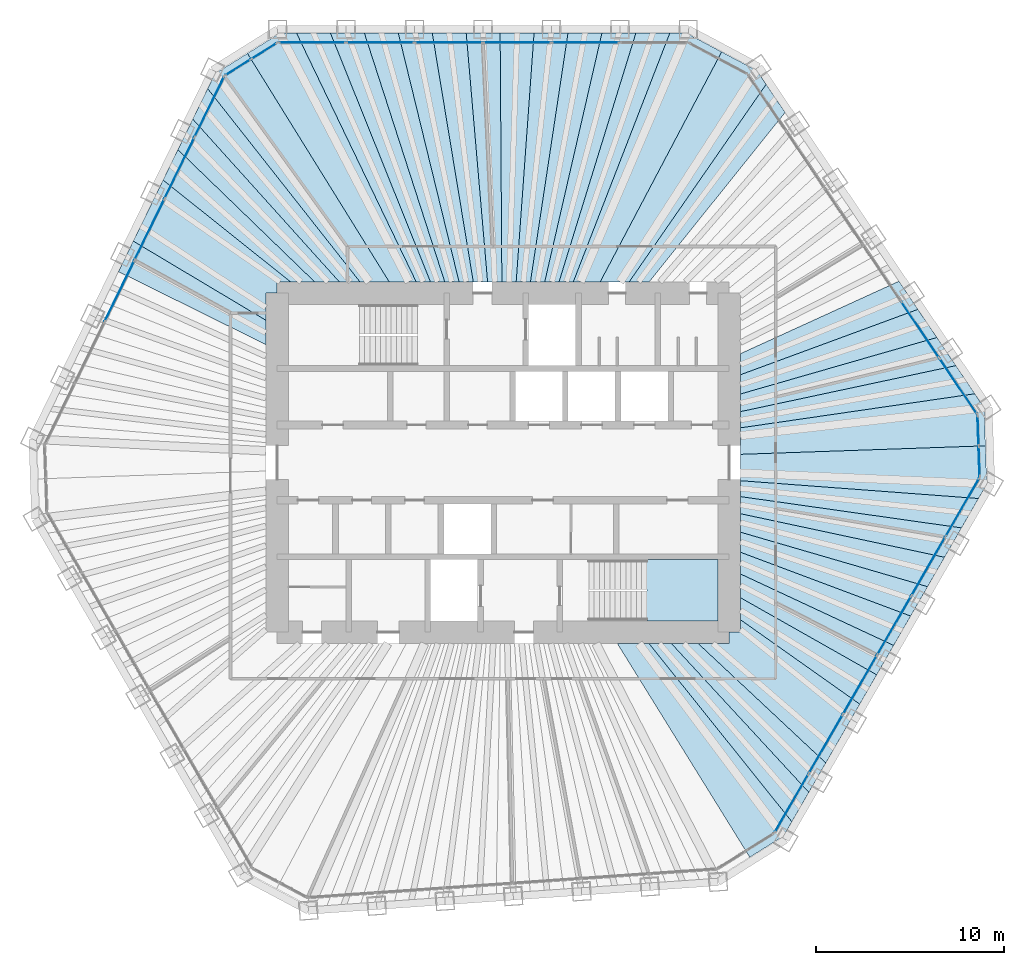
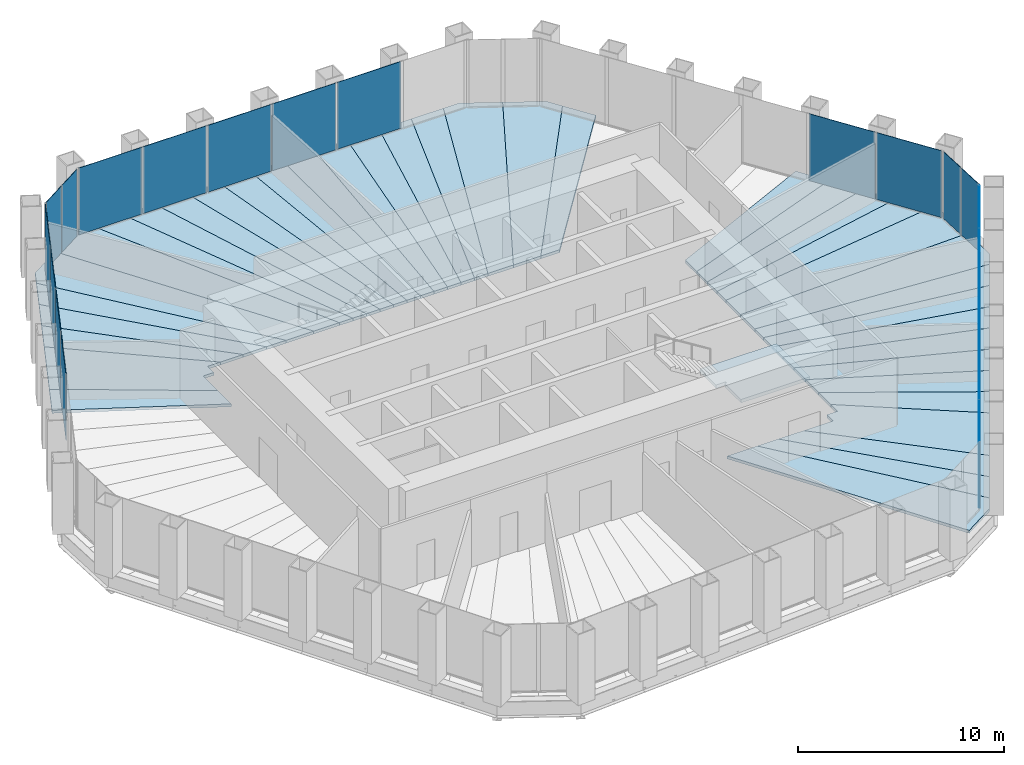
# One storey, part 9 of 13: 39 slabs, 21 plates, 7 elements without a shape of their own.
"""IFC4 building model written with IfcOpenShell, lengths in metres."""

from ifc_helpers import new_model, si_unit, direction, frame, origin, origin_2d, place, context, subcontext, project, spatial, polyline, rectangle, outline, extrude, material, layer, layer_set, type_object, element, aggregate, save


model = new_model("IFC4")

# Units and contexts
model_context = context("Model", 3, precision=1e-05, world=origin(), true_north=direction((0.0, 1.0)))
body_context = subcontext(model_context, "Body", "Model", "MODEL_VIEW")
ifc_project = project(units=[si_unit("LENGTHUNIT", "METRE"), si_unit("AREAUNIT", "SQUARE_METRE"), si_unit("VOLUMEUNIT", "CUBIC_METRE"), si_unit("PLANEANGLEUNIT", "RADIAN"), si_unit("MASSUNIT", "GRAM", prefix="KILO")], contexts=[model_context])

# Site, building, storey
site_placement = place(None, origin())
site = spatial("IfcSite", under=ifc_project, at=site_placement, CompositionType="ELEMENT")
building_placement = place(site_placement, origin())
building = spatial("IfcBuilding", under=site, at=building_placement, Name="Qingtian Harvest Tower", CompositionType="ELEMENT")
storey_placement = place(building_placement, frame((0.0, 0.0, 222.39990234375)))
storey = spatial("IfcBuildingStorey", under=building, at=storey_placement, Name="L48", CompositionType="ELEMENT", Elevation=222.39990234375)

# Slabs
ifc_material_1 = material(Name="Concrete fc' 35 MPa", Category="concrete")
ifc_layer_1 = layer(ifc_material_1, 0.169921875)
ifc_layer_set_1 = layer_set([ifc_layer_1], Name="Composite floor slab FS17 170")
slab_type_1 = type_object("IfcSlabType", Name="Composite floor slab FS17 170", PredefinedType="FLOOR", material=ifc_layer_set_1)
slab_1_placement = place(storey_placement, frame((0.0, 0.0, -0.169921875)))
element("IfcSlab", 1, at=slab_1_placement, inside=storey, type_object=slab_type_1, Name="Floor slab L48 panel D27", PredefinedType="FLOOR", context=body_context, shape_type="SweptSolid", body=[
    extrude(outline(polyline([(6.059326171875, -9.60009765625), (7.740966796875, -9.60009765625), (15.3271484375, -19.0625), (14.886962890625, -19.8251953125), (13.090576171875, -20.94775390625), (6.059326171875, -9.60009765625)])), origin(), (0.0, 0.0, 1.0), 0.169921875),
])
slab_2_placement = place(storey_placement, frame((0.0, 0.0, -0.169921875)))
element("IfcSlab", 2, at=slab_2_placement, inside=storey, type_object=slab_type_1, Name="Floor slab L48 panel D28", PredefinedType="FLOOR", context=body_context, shape_type="SweptSolid", body=[
    extrude(outline(polyline([(8.929443359375, -9.60009765625), (16.22802734375, -17.50244140625), (15.3271484375, -19.0625), (7.740966796875, -9.60009765625), (8.929443359375, -9.60009765625)])), origin(), (0.0, 0.0, 1.0), 0.169921875),
])
slab_3_placement = place(storey_placement, frame((0.0, 0.0, -0.169921875)))
element("IfcSlab", 3, at=slab_3_placement, inside=storey, type_object=slab_type_1, Name="Floor slab L48 panel D29", PredefinedType="FLOOR", context=body_context, shape_type="SweptSolid", body=[
    extrude(outline(polyline([(10.35205078125, -9.60009765625), (17.128662109375, -15.942138671875), (16.22802734375, -17.50244140625), (8.929443359375, -9.60009765625), (10.35205078125, -9.60009765625)])), origin(), (0.0, 0.0, 1.0), 0.169921875),
])
slab_4_placement = place(storey_placement, frame((0.0, 0.0, -0.169921875)))
element("IfcSlab", 4, at=slab_4_placement, inside=storey, type_object=slab_type_1, Name="Floor slab L48 panel D31", PredefinedType="FLOOR", context=body_context, shape_type="SweptSolid", body=[
    extrude(outline(polyline([(12.60009765625, -8.33984375), (18.931884765625, -12.819091796875), (17.128662109375, -15.942138671875), (10.35205078125, -9.60009765625), (12.0, -9.60009765625), (12.0, -9.0), (12.60009765625, -9.0), (12.60009765625, -8.33984375)])), origin(), (0.0, 0.0, 1.0), 0.169921875),
])
slab_5_placement = place(storey_placement, frame((0.0, 0.0, -0.169921875)))
element("IfcSlab", 5, at=slab_5_placement, inside=storey, type_object=slab_type_1, Name="Floor slab L48 panel D32", PredefinedType="FLOOR", context=body_context, shape_type="SweptSolid", body=[
    extrude(outline(polyline([(12.60009765625, -7.171142578125), (19.830322265625, -11.262939453125), (18.931884765625, -12.819091796875), (12.60009765625, -8.33984375), (12.60009765625, -7.171142578125)])), origin(), (0.0, 0.0, 1.0), 0.169921875),
])
slab_6_placement = place(storey_placement, frame((0.0, 0.0, -0.169921875)))
element("IfcSlab", 6, at=slab_6_placement, inside=storey, type_object=slab_type_1, Name="Floor slab L48 panel D33", PredefinedType="FLOOR", context=body_context, shape_type="SweptSolid", body=[
    extrude(outline(polyline([(12.60009765625, -5.91015625), (20.73095703125, -9.702880859375), (19.830322265625, -11.262939453125), (12.60009765625, -7.171142578125), (12.60009765625, -5.91015625)])), origin(), (0.0, 0.0, 1.0), 0.169921875),
])
slab_7_placement = place(storey_placement, frame((0.0, 0.0, -0.169921875)))
element("IfcSlab", 7, at=slab_7_placement, inside=storey, type_object=slab_type_1, Name="Floor slab L48 panel D34", PredefinedType="FLOOR", context=body_context, shape_type="SweptSolid", body=[
    extrude(outline(polyline([(12.60009765625, -4.75439453125), (21.6318359375, -8.142578125), (20.73095703125, -9.702880859375), (12.60009765625, -5.91015625), (12.60009765625, -4.75439453125)])), origin(), (0.0, 0.0, 1.0), 0.169921875),
])
slab_8_placement = place(storey_placement, frame((0.0, 0.0, -0.169921875)))
element("IfcSlab", 8, at=slab_8_placement, inside=storey, type_object=slab_type_1, Name="Floor slab L48 panel D35", PredefinedType="FLOOR", context=body_context, shape_type="SweptSolid", body=[
    extrude(outline(polyline([(12.60009765625, -3.691162109375), (22.532470703125, -6.58251953125), (21.6318359375, -8.142578125), (12.60009765625, -4.75439453125), (12.60009765625, -3.691162109375)])), origin(), (0.0, 0.0, 1.0), 0.169921875),
])
slab_9_placement = place(storey_placement, frame((0.0, 0.0, -0.169921875)))
element("IfcSlab", 9, at=slab_9_placement, inside=storey, type_object=slab_type_1, Name="Floor slab L48 panel D36", PredefinedType="FLOOR", context=body_context, shape_type="SweptSolid", body=[
    extrude(outline(polyline([(12.60009765625, -2.709716796875), (23.43310546875, -5.022705078125), (22.532470703125, -6.58251953125), (12.60009765625, -3.691162109375), (12.60009765625, -2.709716796875)])), origin(), (0.0, 0.0, 1.0), 0.169921875),
])
slab_10_placement = place(storey_placement, frame((0.0, 0.0, -0.169921875)))
element("IfcSlab", 10, at=slab_10_placement, inside=storey, type_object=slab_type_1, Name="Floor slab L48 panel D37", PredefinedType="FLOOR", context=body_context, shape_type="SweptSolid", body=[
    extrude(outline(polyline([(12.60009765625, -1.801025390625), (24.333740234375, -3.462646484375), (23.43310546875, -5.022705078125), (12.60009765625, -2.709716796875), (12.60009765625, -1.801025390625)])), origin(), (0.0, 0.0, 1.0), 0.169921875),
])
slab_11_placement = place(storey_placement, frame((0.0, 0.0, -0.169921875)))
element("IfcSlab", 11, at=slab_11_placement, inside=storey, type_object=slab_type_1, Name="Floor slab L48 panel D38", PredefinedType="FLOOR", context=body_context, shape_type="SweptSolid", body=[
    extrude(outline(polyline([(12.60009765625, -0.95703125), (25.234619140625, -1.902587890625), (24.333740234375, -3.462646484375), (12.60009765625, -1.801025390625), (12.60009765625, -0.95703125)])), origin(), (0.0, 0.0, 1.0), 0.169921875),
])
slab_12_placement = place(storey_placement, frame((0.0, 0.0, -0.169921875)))
element("IfcSlab", 12, at=slab_12_placement, inside=storey, type_object=slab_type_1, Name="Floor slab L48 panel D39", PredefinedType="FLOOR", context=body_context, shape_type="SweptSolid", body=[
    extrude(outline(polyline([(12.60009765625, -0.95703125), (12.60009765625, 0.442626953125), (25.603759765625, 0.89404296875), (25.6748046875, -1.139892578125), (25.234619140625, -1.902587890625), (12.60009765625, -0.95703125)])), origin(), (0.0, 0.0, 1.0), 0.169921875),
])
slab_13_placement = place(storey_placement, frame((0.0, 0.0, -0.169921875)))
element("IfcSlab", 13, at=slab_13_placement, inside=storey, type_object=slab_type_1, Name="Floor slab L48 panel D40", PredefinedType="FLOOR", context=body_context, shape_type="SweptSolid", body=[
    extrude(outline(polyline([(12.60009765625, 0.442626953125), (12.60009765625, 1.848876953125), (25.040283203125, 3.658203125), (25.53271484375, 2.92822265625), (25.603759765625, 0.89404296875), (12.60009765625, 0.442626953125)])), origin(), (0.0, 0.0, 1.0), 0.169921875),
])
slab_14_placement = place(storey_placement, frame((0.0, 0.0, -0.169921875)))
element("IfcSlab", 14, at=slab_14_placement, inside=storey, type_object=slab_type_1, Name="Floor slab L48 panel D41", PredefinedType="FLOOR", context=body_context, shape_type="SweptSolid", body=[
    extrude(outline(polyline([(12.60009765625, 2.710205078125), (24.032958984375, 5.151611328125), (25.040283203125, 3.658203125), (12.60009765625, 1.848876953125), (12.60009765625, 2.710205078125)])), origin(), (0.0, 0.0, 1.0), 0.169921875),
])
slab_15_placement = place(storey_placement, frame((0.0, 0.0, -0.169921875)))
element("IfcSlab", 15, at=slab_15_placement, inside=storey, type_object=slab_type_1, Name="Floor slab L48 panel D42", PredefinedType="FLOOR", context=body_context, shape_type="SweptSolid", body=[
    extrude(outline(polyline([(12.60009765625, 3.646728515625), (23.025634765625, 6.64501953125), (24.032958984375, 5.151611328125), (12.60009765625, 2.710205078125), (12.60009765625, 3.646728515625)])), origin(), (0.0, 0.0, 1.0), 0.169921875),
])
slab_16_placement = place(storey_placement, frame((0.0, 0.0, -0.169921875)))
element("IfcSlab", 16, at=slab_16_placement, inside=storey, type_object=slab_type_1, Name="Floor slab L48 panel D43", PredefinedType="FLOOR", context=body_context, shape_type="SweptSolid", body=[
    extrude(outline(polyline([(12.60009765625, 4.669189453125), (22.018310546875, 8.138427734375), (23.025634765625, 6.64501953125), (12.60009765625, 3.646728515625), (12.60009765625, 4.669189453125)])), origin(), (0.0, 0.0, 1.0), 0.169921875),
])
slab_17_placement = place(storey_placement, frame((0.0, 0.0, -0.169921875)))
element("IfcSlab", 17, at=slab_17_placement, inside=storey, type_object=slab_type_1, Name="Floor slab L48 panel D44", PredefinedType="FLOOR", context=body_context, shape_type="SweptSolid", body=[
    extrude(outline(polyline([(12.60009765625, 5.7900390625), (21.010986328125, 9.6318359375), (22.018310546875, 8.138427734375), (12.60009765625, 4.669189453125), (12.60009765625, 5.7900390625)])), origin(), (0.0, 0.0, 1.0), 0.169921875),
])
slab_18_placement = place(storey_placement, frame((0.0, 0.0, -0.169921875)))
element("IfcSlab", 18, at=slab_18_placement, inside=storey, type_object=slab_type_1, Name="Floor slab L48 panel D51", PredefinedType="FLOOR", context=body_context, shape_type="SweptSolid", body=[
    extrude(outline(polyline([(6.6904296875, 9.60009765625), (13.960205078125, 20.085205078125), (14.967529296875, 18.591796875), (7.751220703125, 9.60009765625), (6.6904296875, 9.60009765625)])), origin(), (0.0, 0.0, 1.0), 0.169921875),
])
slab_19_placement = place(storey_placement, frame((0.0, 0.0, -0.169921875)))
element("IfcSlab", 19, at=slab_19_placement, inside=storey, type_object=slab_type_1, Name="Floor slab L48 panel D52", PredefinedType="FLOOR", context=body_context, shape_type="SweptSolid", body=[
    extrude(outline(polyline([(6.6904296875, 9.60009765625), (5.15185546875, 9.60009765625), (11.59716796875, 21.809814453125), (13.4677734375, 20.8154296875), (13.960205078125, 20.085205078125), (6.6904296875, 9.60009765625)])), origin(), (0.0, 0.0, 1.0), 0.169921875),
])
slab_20_placement = place(storey_placement, frame((0.0, 0.0, -0.169921875)))
element("IfcSlab", 20, at=slab_20_placement, inside=storey, type_object=slab_type_1, Name="Floor slab L48 panel D53", PredefinedType="FLOOR", context=body_context, shape_type="SweptSolid", body=[
    extrude(outline(polyline([(3.7236328125, 9.60009765625), (8.84521484375, 22.804931640625), (9.7255859375, 22.804931640625), (11.59716796875, 21.809814453125), (5.15185546875, 9.60009765625), (3.7236328125, 9.60009765625)])), origin(), (0.0, 0.0, 1.0), 0.169921875),
])
slab_21_placement = place(storey_placement, frame((0.0, 0.0, -0.169921875)))
element("IfcSlab", 21, at=slab_21_placement, inside=storey, type_object=slab_type_1, Name="Floor slab L48 panel D54", PredefinedType="FLOOR", context=body_context, shape_type="SweptSolid", body=[
    extrude(outline(polyline([(2.96533203125, 9.60009765625), (7.0439453125, 22.804931640625), (8.84521484375, 22.804931640625), (3.7236328125, 9.60009765625), (2.96533203125, 9.60009765625)])), origin(), (0.0, 0.0, 1.0), 0.169921875),
])
slab_22_placement = place(storey_placement, frame((0.0, 0.0, -0.169921875)))
element("IfcSlab", 22, at=slab_22_placement, inside=storey, type_object=slab_type_1, Name="Floor slab L48 panel D55", PredefinedType="FLOOR", context=body_context, shape_type="SweptSolid", body=[
    extrude(outline(polyline([(2.206787109375, 9.60009765625), (5.242431640625, 22.804931640625), (7.0439453125, 22.804931640625), (2.96533203125, 9.60009765625), (2.206787109375, 9.60009765625)])), origin(), (0.0, 0.0, 1.0), 0.169921875),
])
slab_23_placement = place(storey_placement, frame((0.0, 0.0, -0.169921875)))
element("IfcSlab", 23, at=slab_23_placement, inside=storey, type_object=slab_type_1, Name="Floor slab L48 panel D56", PredefinedType="FLOOR", context=body_context, shape_type="SweptSolid", body=[
    extrude(outline(polyline([(1.448486328125, 9.60009765625), (3.441162109375, 22.804931640625), (5.242431640625, 22.804931640625), (2.206787109375, 9.60009765625), (1.448486328125, 9.60009765625)])), origin(), (0.0, 0.0, 1.0), 0.169921875),
])
slab_24_placement = place(storey_placement, frame((0.0, 0.0, -0.169921875)))
element("IfcSlab", 24, at=slab_24_placement, inside=storey, type_object=slab_type_1, Name="Floor slab L48 panel D57", PredefinedType="FLOOR", context=body_context, shape_type="SweptSolid", body=[
    extrude(outline(polyline([(0.690185546875, 9.60009765625), (1.639892578125, 22.804931640625), (3.441162109375, 22.804931640625), (1.448486328125, 9.60009765625), (0.690185546875, 9.60009765625)])), origin(), (0.0, 0.0, 1.0), 0.169921875),
])
slab_25_placement = place(storey_placement, frame((0.0, 0.0, -0.169921875)))
element("IfcSlab", 25, at=slab_25_placement, inside=storey, type_object=slab_type_1, Name="Floor slab L48 panel D58", PredefinedType="FLOOR", context=body_context, shape_type="SweptSolid", body=[
    extrude(outline(polyline([(-0.068115234375, 9.60009765625), (-0.16162109375, 22.804931640625), (1.639892578125, 22.804931640625), (0.690185546875, 9.60009765625), (-0.068115234375, 9.60009765625)])), origin(), (0.0, 0.0, 1.0), 0.169921875),
])
slab_26_placement = place(storey_placement, frame((0.0, 0.0, -0.169921875)))
element("IfcSlab", 26, at=slab_26_placement, inside=storey, type_object=slab_type_1, Name="Floor slab L48 panel D59", PredefinedType="FLOOR", context=body_context, shape_type="SweptSolid", body=[
    extrude(outline(polyline([(-0.826416015625, 9.60009765625), (-1.962890625, 22.804931640625), (-0.16162109375, 22.804931640625), (-0.068115234375, 9.60009765625), (-0.826416015625, 9.60009765625)])), origin(), (0.0, 0.0, 1.0), 0.169921875),
])
slab_27_placement = place(storey_placement, frame((0.0, 0.0, -0.169921875)))
element("IfcSlab", 27, at=slab_27_placement, inside=storey, type_object=slab_type_1, Name="Floor slab L48 panel D60", PredefinedType="FLOOR", context=body_context, shape_type="SweptSolid", body=[
    extrude(outline(polyline([(-1.584716796875, 9.60009765625), (-3.764404296875, 22.804931640625), (-1.962890625, 22.804931640625), (-0.826416015625, 9.60009765625), (-1.584716796875, 9.60009765625)])), origin(), (0.0, 0.0, 1.0), 0.169921875),
])
slab_28_placement = place(storey_placement, frame((0.0, 0.0, -0.169921875)))
element("IfcSlab", 28, at=slab_28_placement, inside=storey, type_object=slab_type_1, Name="Floor slab L48 panel D61", PredefinedType="FLOOR", context=body_context, shape_type="SweptSolid", body=[
    extrude(outline(polyline([(-2.343017578125, 9.60009765625), (-5.565673828125, 22.804931640625), (-3.764404296875, 22.804931640625), (-1.584716796875, 9.60009765625), (-2.343017578125, 9.60009765625)])), origin(), (0.0, 0.0, 1.0), 0.169921875),
])
slab_29_placement = place(storey_placement, frame((0.0, 0.0, -0.169921875)))
element("IfcSlab", 29, at=slab_29_placement, inside=storey, type_object=slab_type_1, Name="Floor slab L48 panel D62", PredefinedType="FLOOR", context=body_context, shape_type="SweptSolid", body=[
    extrude(outline(polyline([(-3.101318359375, 9.60009765625), (-7.366943359375, 22.804931640625), (-5.565673828125, 22.804931640625), (-2.343017578125, 9.60009765625), (-3.101318359375, 9.60009765625)])), origin(), (0.0, 0.0, 1.0), 0.169921875),
])
slab_30_placement = place(storey_placement, frame((0.0, 0.0, -0.169921875)))
element("IfcSlab", 30, at=slab_30_placement, inside=storey, type_object=slab_type_1, Name="Floor slab L48 panel D63", PredefinedType="FLOOR", context=body_context, shape_type="SweptSolid", body=[
    extrude(outline(polyline([(-3.859619140625, 9.60009765625), (-9.16845703125, 22.804931640625), (-7.366943359375, 22.804931640625), (-3.101318359375, 9.60009765625), (-3.859619140625, 9.60009765625)])), origin(), (0.0, 0.0, 1.0), 0.169921875),
])
slab_31_placement = place(storey_placement, frame((0.0, 0.0, -0.169921875)))
element("IfcSlab", 31, at=slab_31_placement, inside=storey, type_object=slab_type_1, Name="Floor slab L48 panel D64", PredefinedType="FLOOR", context=body_context, shape_type="SweptSolid", body=[
    extrude(outline(polyline([(-4.617919921875, 9.60009765625), (-10.9697265625, 22.804931640625), (-9.16845703125, 22.804931640625), (-3.859619140625, 9.60009765625), (-4.617919921875, 9.60009765625)])), origin(), (0.0, 0.0, 1.0), 0.169921875),
])
slab_32_placement = place(storey_placement, frame((0.0, 0.0, -0.169921875)))
element("IfcSlab", 32, at=slab_32_placement, inside=storey, type_object=slab_type_1, Name="Floor slab L48 panel D65", PredefinedType="FLOOR", context=body_context, shape_type="SweptSolid", body=[
    extrude(outline(polyline([(-4.617919921875, 9.60009765625), (-6.050537109375, 9.60009765625), (-13.57666015625, 21.72607421875), (-11.85009765625, 22.804931640625), (-10.9697265625, 22.804931640625), (-4.617919921875, 9.60009765625)])), origin(), (0.0, 0.0, 1.0), 0.169921875),
])
slab_33_placement = place(storey_placement, frame((0.0, 0.0, -0.169921875)))
element("IfcSlab", 33, at=slab_33_placement, inside=storey, type_object=slab_type_1, Name="Floor slab L48 panel D66", PredefinedType="FLOOR", context=body_context, shape_type="SweptSolid", body=[
    extrude(outline(polyline([(-6.050537109375, 9.60009765625), (-7.60498046875, 9.60009765625), (-15.688232421875, 19.8564453125), (-15.30224609375, 20.64794921875), (-13.57666015625, 21.72607421875), (-6.050537109375, 9.60009765625)])), origin(), (0.0, 0.0, 1.0), 0.169921875),
])
slab_34_placement = place(storey_placement, frame((0.0, 0.0, -0.169921875)))
element("IfcSlab", 34, at=slab_34_placement, inside=storey, type_object=slab_type_1, Name="Floor slab L48 panel D67", PredefinedType="FLOOR", context=body_context, shape_type="SweptSolid", body=[
    extrude(outline(polyline([(-8.699951171875, 9.60009765625), (-16.47802734375, 18.2373046875), (-15.688232421875, 19.8564453125), (-7.60498046875, 9.60009765625), (-8.699951171875, 9.60009765625)])), origin(), (0.0, 0.0, 1.0), 0.169921875),
])
slab_35_placement = place(storey_placement, frame((0.0, 0.0, -0.169921875)))
element("IfcSlab", 35, at=slab_35_placement, inside=storey, type_object=slab_type_1, Name="Floor slab L48 panel D68", PredefinedType="FLOOR", context=body_context, shape_type="SweptSolid", body=[
    extrude(outline(polyline([(-10.009765625, 9.60009765625), (-17.267822265625, 16.6181640625), (-16.47802734375, 18.2373046875), (-8.699951171875, 9.60009765625), (-10.009765625, 9.60009765625)])), origin(), (0.0, 0.0, 1.0), 0.169921875),
])
slab_36_placement = place(storey_placement, frame((0.0, 0.0, -0.169921875)))
element("IfcSlab", 36, at=slab_36_placement, inside=storey, type_object=slab_type_1, Name="Floor slab L48 panel D69", PredefinedType="FLOOR", context=body_context, shape_type="SweptSolid", body=[
    extrude(outline(polyline([(-11.28759765625, 9.60009765625), (-18.055419921875, 15.003173828125), (-17.267822265625, 16.6181640625), (-10.009765625, 9.60009765625), (-11.28759765625, 9.60009765625)])), origin(), (0.0, 0.0, 1.0), 0.169921875),
])
slab_37_placement = place(storey_placement, frame((0.0, 0.0, -0.169921875)))
element("IfcSlab", 37, at=slab_37_placement, inside=storey, type_object=slab_type_1, Name="Floor slab L48 panel D70", PredefinedType="FLOOR", context=body_context, shape_type="SweptSolid", body=[
    extrude(outline(polyline([(-12.0, 9.0), (-12.60009765625, 9.0), (-12.60009765625, 7.560302734375), (-19.636474609375, 11.761474609375), (-18.055419921875, 15.003173828125), (-11.28759765625, 9.60009765625), (-12.0, 9.60009765625), (-12.0, 9.0)])), origin(), (0.0, 0.0, 1.0), 0.169921875),
])
slab_38_placement = place(storey_placement, frame((0.0, 0.0, -0.169921875)))
element("IfcSlab", 38, at=slab_38_placement, inside=storey, type_object=slab_type_1, Name="Floor slab L48 panel D72", PredefinedType="FLOOR", context=body_context, shape_type="SweptSolid", body=[
    extrude(outline(polyline([(-12.60009765625, 6.268310546875), (-20.426025390625, 10.142578125), (-19.636474609375, 11.761474609375), (-12.60009765625, 7.560302734375), (-12.60009765625, 6.268310546875)])), origin(), (0.0, 0.0, 1.0), 0.169921875),
])

# Curtain wall, plates
ifc_material_2 = material(Name="Bronze-anodised aluminium curtain wall", Category="aluminium")
curtain_wall_type = type_object("IfcCurtainWallType", Name="Curtain wall CW4 office", PredefinedType="USERDEFINED", material=ifc_material_2)
curtain_wall_1_placement = place(storey_placement, origin())
curtain_wall_1 = element("IfcCurtainWall", 39, at=curtain_wall_1_placement, inside=storey, type_object=curtain_wall_type, Name="Curtain wall CW4 L48 N0-5", ObjectType="RECESSED CURTAIN WALL", PredefinedType="USERDEFINED")
ifc_material_3 = material(Name="Bronze-tinted laminated insulating glass", Category="glass")
ifc_layer_2 = layer(ifc_material_3, 0.030029296875)
ifc_layer_set_2 = layer_set([ifc_layer_2], Name="Glazed panel CWP tinted IGU")
plate_type = type_object("IfcPlateType", Name="Glazed panel CWP tinted IGU", PredefinedType="CURTAIN_PANEL", material=ifc_layer_set_2)
plate_1_placement = place(storey_placement, frame((-10.138916015625, 22.300048828125, 0.06494140625), z_axis=(0.0, 0.0, 1.0), x_axis=(1.0, 0.0, 0.0)))
plate_1 = element("IfcPlate", 40, at=plate_1_placement, type_object=plate_type, Name="CW4 panel 1.1", PredefinedType="CURTAIN_PANEL", context=body_context, shape_type="SweptSolid", body=[
    extrude(rectangle(XDim=3.5361328125, YDim=0.030029296875, at=origin_2d()), origin(), (0.0, 0.0, 1.0), 3.965087890625),
])
plate_2_placement = place(storey_placement, frame((-6.521728515625, 22.300048828125, 0.06494140625), z_axis=(0.0, 0.0, 1.0), x_axis=(1.0, 0.0, 0.0)))
plate_2 = element("IfcPlate", 41, at=plate_2_placement, type_object=plate_type, Name="CW4 panel 2.1", PredefinedType="CURTAIN_PANEL", context=body_context, shape_type="SweptSolid", body=[
    extrude(rectangle(XDim=3.568603515625, YDim=0.030029296875, at=origin_2d()), origin(), (0.0, 0.0, 1.0), 3.965087890625),
])
plate_3_placement = place(storey_placement, frame((-2.88818359375, 22.300048828125, 0.06494140625), z_axis=(0.0, 0.0, 1.0), x_axis=(1.0, 0.0, 0.0)))
plate_3 = element("IfcPlate", 42, at=plate_3_placement, type_object=plate_type, Name="CW4 panel 3.1", PredefinedType="CURTAIN_PANEL", context=body_context, shape_type="SweptSolid", body=[
    extrude(rectangle(XDim=3.568603515625, YDim=0.030029296875, at=origin_2d()), origin(), (0.0, 0.0, 1.0), 3.965087890625),
])
plate_4_placement = place(storey_placement, frame((0.745361328125, 22.300048828125, 0.06494140625), z_axis=(0.0, 0.0, 1.0), x_axis=(1.0, 0.0, 0.0)))
plate_4 = element("IfcPlate", 43, at=plate_4_placement, type_object=plate_type, Name="CW4 panel 4.1", PredefinedType="CURTAIN_PANEL", context=body_context, shape_type="SweptSolid", body=[
    extrude(rectangle(XDim=3.568603515625, YDim=0.030029296875, at=origin_2d()), origin(), (0.0, 0.0, 1.0), 3.965087890625),
])
plate_5_placement = place(storey_placement, frame((4.37890625, 22.300048828125, 0.06494140625), z_axis=(0.0, 0.0, 1.0), x_axis=(1.0, 0.0, 0.0)))
plate_5 = element("IfcPlate", 44, at=plate_5_placement, type_object=plate_type, Name="CW4 panel 5.1", PredefinedType="CURTAIN_PANEL", context=body_context, shape_type="SweptSolid", body=[
    extrude(rectangle(XDim=3.568603515625, YDim=0.030029296875, at=origin_2d()), origin(), (0.0, 0.0, 1.0), 3.965087890625),
])
aggregate(curtain_wall_1, [plate_1, plate_2, plate_3, plate_4, plate_5])

curtain_wall_2_placement = place(storey_placement, origin())
curtain_wall_2 = element("IfcCurtainWall", 45, at=curtain_wall_2_placement, inside=storey, type_object=curtain_wall_type, Name="Curtain wall CW4 L48 NE0-5", ObjectType="RECESSED CURTAIN WALL", PredefinedType="USERDEFINED")
plate_6_placement = place(storey_placement, frame((22.134521484375, 7.063232421875, 0.06494140625), z_axis=(0.0, 0.0, 1.0), x_axis=(0.559192903471, -0.829037572555, 0.0)))
plate_6 = element("IfcPlate", 46, at=plate_6_placement, type_object=plate_type, Name="CW4 panel 5.1", PredefinedType="CURTAIN_PANEL", context=body_context, shape_type="SweptSolid", body=[
    extrude(rectangle(XDim=3.568603515625, YDim=0.030029296875, at=origin_2d()), origin(), (0.0, 0.0, 1.0), 3.965087890625),
])
plate_7_placement = place(storey_placement, frame((24.1572265625, 4.064453125, 0.06494140625), z_axis=(0.0, 0.0, 1.0), x_axis=(0.559192903471, -0.829037572555, 0.0)))
plate_7 = element("IfcPlate", 47, at=plate_7_placement, type_object=plate_type, Name="CW4 panel 6.1", PredefinedType="CURTAIN_PANEL", context=body_context, shape_type="SweptSolid", body=[
    extrude(rectangle(XDim=3.5361328125, YDim=0.030029296875, at=origin_2d()), origin(), (0.0, 0.0, 1.0), 3.965087890625),
])
aggregate(curtain_wall_2, [plate_6, plate_7])

curtain_wall_3_placement = place(storey_placement, origin())
curtain_wall_3 = element("IfcCurtainWall", 48, at=curtain_wall_3_placement, inside=storey, type_object=curtain_wall_type, Name="Curtain wall CW4 L48 NEC", ObjectType="RECESSED CURTAIN WALL", PredefinedType="USERDEFINED")
plate_8_placement = place(storey_placement, frame((25.2119140625, 1.69677734375, 0.06494140625), z_axis=(0.0, 0.0, 1.0), x_axis=(0.034899496703, -0.999390827019, 0.0)))
plate_8 = element("IfcPlate", 49, at=plate_8_placement, type_object=plate_type, Name="CW4 panel 1.1", PredefinedType="CURTAIN_PANEL", context=body_context, shape_type="SweptSolid", body=[
    extrude(rectangle(XDim=1.56689453125, YDim=0.030029296875, at=origin_2d()), origin(), (0.0, 0.0, 1.0), 3.965087890625),
])
plate_9_placement = place(storey_placement, frame((25.268798828125, 0.06591796875, 0.06494140625), z_axis=(0.0, 0.0, 1.0), x_axis=(0.034899496703, -0.999390827019, 0.0)))
plate_9 = element("IfcPlate", 50, at=plate_9_placement, type_object=plate_type, Name="CW4 panel 2.1", PredefinedType="CURTAIN_PANEL", context=body_context, shape_type="SweptSolid", body=[
    extrude(rectangle(XDim=1.56689453125, YDim=0.030029296875, at=origin_2d()), origin(), (0.0, 0.0, 1.0), 3.965087890625),
])
aggregate(curtain_wall_3, [plate_8, plate_9])

curtain_wall_4_placement = place(storey_placement, origin())
curtain_wall_4 = element("IfcCurtainWall", 51, at=curtain_wall_4_placement, inside=storey, type_object=curtain_wall_type, Name="Curtain wall CW4 L48 SE0-5", ObjectType="RECESSED CURTAIN WALL", PredefinedType="USERDEFINED")
plate_10_placement = place(storey_placement, frame((24.3818359375, -2.369384765625, 0.06494140625), z_axis=(0.0, 0.0, 1.0), x_axis=(-0.5, -0.866025403784, 0.0)))
plate_10 = element("IfcPlate", 52, at=plate_10_placement, type_object=plate_type, Name="CW4 panel 1.1", PredefinedType="CURTAIN_PANEL", context=body_context, shape_type="SweptSolid", body=[
    extrude(rectangle(XDim=3.5361328125, YDim=0.030029296875, at=origin_2d()), origin(), (0.0, 0.0, 1.0), 3.965087890625),
])
plate_11_placement = place(storey_placement, frame((22.5732421875, -5.501953125, 0.06494140625), z_axis=(0.0, 0.0, 1.0), x_axis=(-0.5, -0.866025403784, 0.0)))
plate_11 = element("IfcPlate", 53, at=plate_11_placement, type_object=plate_type, Name="CW4 panel 2.1", PredefinedType="CURTAIN_PANEL", context=body_context, shape_type="SweptSolid", body=[
    extrude(rectangle(XDim=3.568603515625, YDim=0.030029296875, at=origin_2d()), origin(), (0.0, 0.0, 1.0), 3.965087890625),
])
plate_12_placement = place(storey_placement, frame((20.75634765625, -8.64892578125, 0.06494140625), z_axis=(0.0, 0.0, 1.0), x_axis=(-0.5, -0.866025403784, 0.0)))
plate_12 = element("IfcPlate", 54, at=plate_12_placement, type_object=plate_type, Name="CW4 panel 3.1", PredefinedType="CURTAIN_PANEL", context=body_context, shape_type="SweptSolid", body=[
    extrude(rectangle(XDim=3.568603515625, YDim=0.030029296875, at=origin_2d()), origin(), (0.0, 0.0, 1.0), 3.965087890625),
])
plate_13_placement = place(storey_placement, frame((18.939697265625, -11.795654296875, 0.06494140625), z_axis=(0.0, 0.0, 1.0), x_axis=(-0.5, -0.866025403784, 0.0)))
plate_13 = element("IfcPlate", 55, at=plate_13_placement, type_object=plate_type, Name="CW4 panel 4.1", PredefinedType="CURTAIN_PANEL", context=body_context, shape_type="SweptSolid", body=[
    extrude(rectangle(XDim=3.568603515625, YDim=0.030029296875, at=origin_2d()), origin(), (0.0, 0.0, 1.0), 3.965087890625),
])
plate_14_placement = place(storey_placement, frame((17.122802734375, -14.9423828125, 0.06494140625), z_axis=(0.0, 0.0, 1.0), x_axis=(-0.5, -0.866025403784, 0.0)))
plate_14 = element("IfcPlate", 56, at=plate_14_placement, type_object=plate_type, Name="CW4 panel 5.1", PredefinedType="CURTAIN_PANEL", context=body_context, shape_type="SweptSolid", body=[
    extrude(rectangle(XDim=3.568603515625, YDim=0.030029296875, at=origin_2d()), origin(), (0.0, 0.0, 1.0), 3.965087890625),
])
plate_15_placement = place(storey_placement, frame((15.314208984375, -18.074951171875, 0.06494140625), z_axis=(0.0, 0.0, 1.0), x_axis=(-0.5, -0.866025403784, 0.0)))
plate_15 = element("IfcPlate", 57, at=plate_15_placement, type_object=plate_type, Name="CW4 panel 6.1", PredefinedType="CURTAIN_PANEL", context=body_context, shape_type="SweptSolid", body=[
    extrude(rectangle(XDim=3.5361328125, YDim=0.030029296875, at=origin_2d()), origin(), (0.0, 0.0, 1.0), 3.965087890625),
])
aggregate(curtain_wall_4, [plate_10, plate_11, plate_12, plate_13, plate_14, plate_15])

curtain_wall_5_placement = place(storey_placement, origin())
curtain_wall_5 = element("IfcCurtainWall", 58, at=curtain_wall_5_placement, inside=storey, type_object=curtain_wall_type, Name="Curtain wall CW4 L48 NW0-5", ObjectType="RECESSED CURTAIN WALL", PredefinedType="USERDEFINED")
plate_16_placement = place(storey_placement, frame((-20.369873046875, 9.105712890625, 0.06494140625), z_axis=(0.0, 0.0, 1.0), x_axis=(0.438371146789, 0.898794046299, 0.0)))
plate_16 = element("IfcPlate", 59, at=plate_16_placement, type_object=plate_type, Name="CW4 panel 3.1", PredefinedType="CURTAIN_PANEL", context=body_context, shape_type="SweptSolid", body=[
    extrude(rectangle(XDim=3.568603515625, YDim=0.030029296875, at=origin_2d()), origin(), (0.0, 0.0, 1.0), 3.965087890625),
])
plate_17_placement = place(storey_placement, frame((-18.777099609375, 12.37158203125, 0.06494140625), z_axis=(0.0, 0.0, 1.0), x_axis=(0.438371146789, 0.898794046299, 0.0)))
plate_17 = element("IfcPlate", 60, at=plate_17_placement, type_object=plate_type, Name="CW4 panel 4.1", PredefinedType="CURTAIN_PANEL", context=body_context, shape_type="SweptSolid", body=[
    extrude(rectangle(XDim=3.568603515625, YDim=0.030029296875, at=origin_2d()), origin(), (0.0, 0.0, 1.0), 3.965087890625),
])
plate_18_placement = place(storey_placement, frame((-17.18408203125, 15.63720703125, 0.06494140625), z_axis=(0.0, 0.0, 1.0), x_axis=(0.438371146789, 0.898794046299, 0.0)))
plate_18 = element("IfcPlate", 61, at=plate_18_placement, type_object=plate_type, Name="CW4 panel 5.1", PredefinedType="CURTAIN_PANEL", context=body_context, shape_type="SweptSolid", body=[
    extrude(rectangle(XDim=3.568603515625, YDim=0.030029296875, at=origin_2d()), origin(), (0.0, 0.0, 1.0), 3.965087890625),
])
plate_19_placement = place(storey_placement, frame((-15.598388671875, 18.888427734375, 0.06494140625), z_axis=(0.0, 0.0, 1.0), x_axis=(0.438371146789, 0.898794046299, 0.0)))
plate_19 = element("IfcPlate", 62, at=plate_19_placement, type_object=plate_type, Name="CW4 panel 6.1", PredefinedType="CURTAIN_PANEL", context=body_context, shape_type="SweptSolid", body=[
    extrude(rectangle(XDim=3.5361328125, YDim=0.030029296875, at=origin_2d()), origin(), (0.0, 0.0, 1.0), 3.965087890625),
])
aggregate(curtain_wall_5, [plate_16, plate_17, plate_18, plate_19])

curtain_wall_6_placement = place(storey_placement, origin())
curtain_wall_6 = element("IfcCurtainWall", 63, at=curtain_wall_6_placement, inside=storey, type_object=curtain_wall_type, Name="Curtain wall CW4 L48 NWC", ObjectType="RECESSED CURTAIN WALL", PredefinedType="USERDEFINED")
plate_20_placement = place(storey_placement, frame((-14.075439453125, 20.985595703125, 0.06494140625), z_axis=(0.0, 0.0, 1.0), x_axis=(0.848048096156, 0.529919264233, 0.0)))
plate_20 = element("IfcPlate", 64, at=plate_20_placement, type_object=plate_type, Name="CW4 panel 1.1", PredefinedType="CURTAIN_PANEL", context=body_context, shape_type="SweptSolid", body=[
    extrude(rectangle(XDim=1.56689453125, YDim=0.030029296875, at=origin_2d()), origin(), (0.0, 0.0, 1.0), 3.965087890625),
])
plate_21_placement = place(storey_placement, frame((-12.69140625, 21.850341796875, 0.06494140625), z_axis=(0.0, 0.0, 1.0), x_axis=(0.848048096156, 0.529919264233, 0.0)))
plate_21 = element("IfcPlate", 65, at=plate_21_placement, type_object=plate_type, Name="CW4 panel 2.1", PredefinedType="CURTAIN_PANEL", context=body_context, shape_type="SweptSolid", body=[
    extrude(rectangle(XDim=1.56689453125, YDim=0.030029296875, at=origin_2d()), origin(), (0.0, 0.0, 1.0), 3.965087890625),
])
aggregate(curtain_wall_6, [plate_20, plate_21])

# Stair, slab
ifc_material_4 = material(Name="Concrete fc' 35 MPa", Category="concrete")
stair_type = type_object("IfcStairType", Name="Special stair ST4 4200", PredefinedType="HALF_TURN_STAIR", material=ifc_material_4)
stair_placement = place(storey_placement, origin())
stair = element("IfcStair", 66, at=stair_placement, inside=storey, type_object=stair_type, Name="Special stair S2 L48", PredefinedType="HALF_TURN_STAIR")
ifc_material_5 = material(Name="Concrete fc' 35 MPa", Category="concrete")
ifc_layer_3 = layer(ifc_material_5, 0.199951171875)
ifc_layer_set_3 = layer_set([ifc_layer_3], Name="Stair landing SL2 200")
slab_type_2 = type_object("IfcSlabType", Name="Stair landing SL2 200", PredefinedType="LANDING", material=ifc_layer_set_3)
slab_39_placement = place(storey_placement, frame((0.0, 0.0, 1.900146484375)))
slab_39 = element("IfcSlab", 67, at=slab_39_placement, type_object=slab_type_2, Name="S2 landing 2", PredefinedType="LANDING", context=body_context, shape_type="SweptSolid", body=[
    extrude(outline(polyline([(7.530029296875, -8.39990234375), (7.530029296875, -6.824951171875), (7.6298828125, -6.824951171875), (7.6298828125, -6.72509765625), (7.094970703125, -6.72509765625), (7.094970703125, -5.14990234375), (11.39990234375, -5.14990234375), (11.39990234375, -8.39990234375), (7.530029296875, -8.39990234375)])), origin(), (0.0, 0.0, 1.0), 0.199951171875),
])
aggregate(stair, [slab_39])

save(model, "model.ifc")
